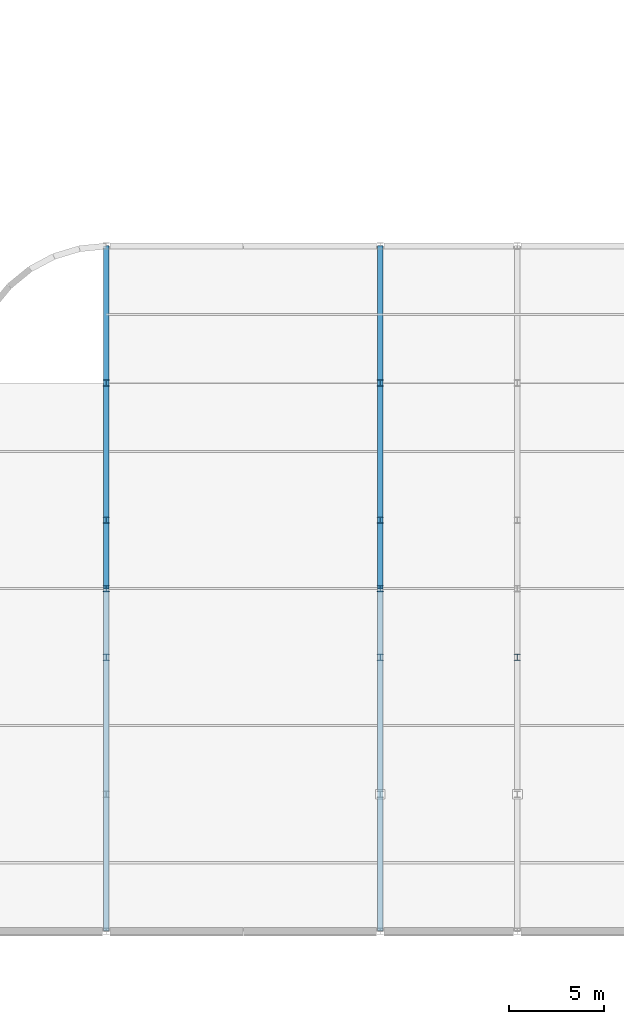
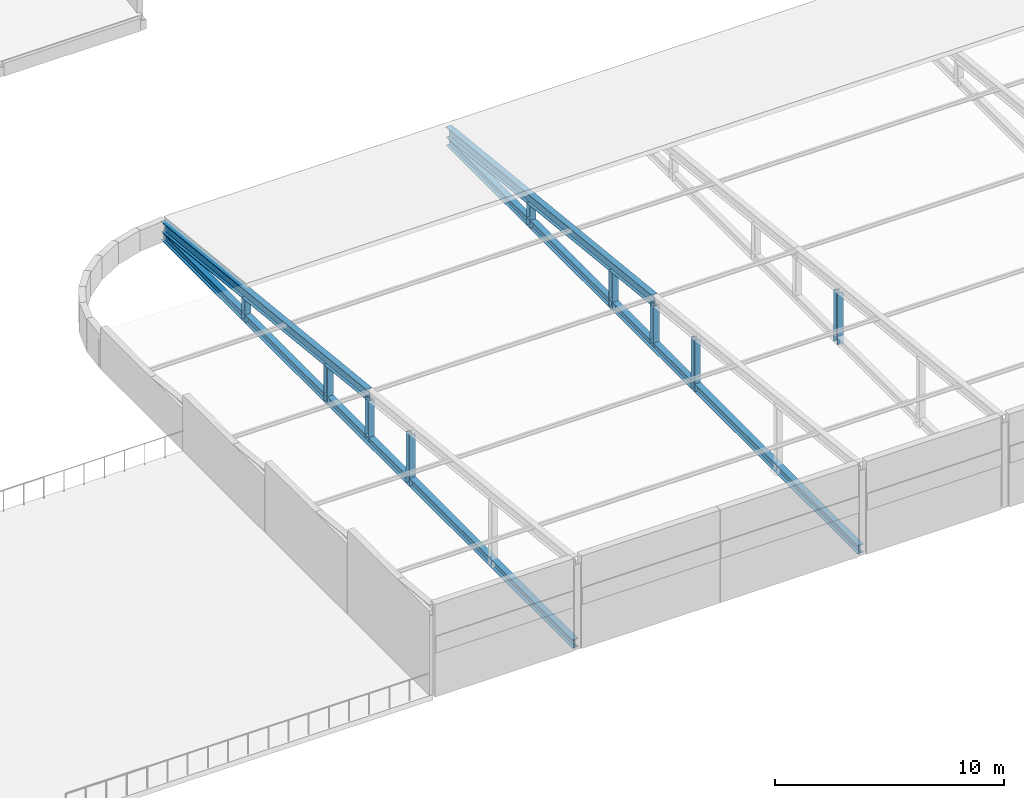
# One storey, part 24 of 103: 13 members.
"""IFC4 building model written with IfcOpenShell, lengths in metres."""

from ifc_helpers import new_model, si_unit, direction, frame, origin, origin_2d, place, context, subcontext, project, spatial, i_section, extrude, material, material_profile, profile_set, type_object, element, save


model = new_model("IFC4")

# Units and contexts
model_context = context("Model", 3, precision=1e-05, world=origin(), true_north=direction((0.0, 1.0)))
body_context = subcontext(model_context, "Body", "Model", "MODEL_VIEW")
ifc_project = project(units=[si_unit("LENGTHUNIT", "METRE"), si_unit("AREAUNIT", "SQUARE_METRE"), si_unit("VOLUMEUNIT", "CUBIC_METRE"), si_unit("PLANEANGLEUNIT", "RADIAN"), si_unit("MASSUNIT", "GRAM", prefix="KILO")], contexts=[model_context])

# Site, building, storey
site_placement = place(None, origin())
site = spatial("IfcSite", under=ifc_project, at=site_placement, CompositionType="ELEMENT")
building_placement = place(site_placement, origin())
building = spatial("IfcBuilding", under=site, at=building_placement, Name="Thalmaran Polytechnic", CompositionType="ELEMENT")
storey_placement = place(building_placement, frame((0.0, 0.0, 14.39990234375)))
storey = spatial("IfcBuildingStorey", under=building, at=storey_placement, Name="L03", CompositionType="ELEMENT", Elevation=14.39990234375)

# Members
ifc_material = material(Name="Steel S355", Category="steel")
ifc_material_profile_1 = material_profile(ifc_material, i_section(OverallWidth=0.300048828125, OverallDepth=0.449951171875, WebThickness=0.013916015625, FlangeThickness=0.02587890625, at=origin_2d()), Name="HEB 450")
ifc_profile_set_1 = profile_set([ifc_material_profile_1], Name="Steel S355")
member_type_1 = type_object("IfcMemberType", Name="MB-CHD1", PredefinedType="CHORD", material=ifc_profile_set_1)
for number, where, z_axis, x_axis, name in (
    (1, (64.800048828125, 0.0, 0.22021484375), (0.0, 1.0, 0.0), (-1.0, 0.0, 0.0), "Lecture Truss Bottom Tie G09"),
    (2, (79.199951171875, 0.0, 0.22021484375), (0.0, 1.0, 0.0), (-1.0, 0.0, 0.0), "Lecture Truss Bottom Tie G11"),
):
    element("IfcMember", number, at=place(storey_placement, frame(where, z_axis=z_axis, x_axis=x_axis)), inside=storey, type_object=member_type_1, Name=name, PredefinedType="CHORD", context=body_context, shape_type="SweptSolid", body=[
        extrude(i_section(OverallWidth=0.300048828125, OverallDepth=0.449951171875, WebThickness=0.013916015625, FlangeThickness=0.02587890625, at=origin_2d()), origin(), (0.0, 0.0, 1.0), 36.0),
    ])
ifc_material_profile_2 = material_profile(ifc_material, i_section(OverallWidth=0.300048828125, OverallDepth=0.550048828125, WebThickness=0.014892578125, FlangeThickness=0.029052734375, at=origin_2d()), Name="HEB 550")
ifc_profile_set_2 = profile_set([ifc_material_profile_2], Name="Steel S355")
member_type_2 = type_object("IfcMemberType", Name="MB-RAF1", PredefinedType="RAFTER", material=ifc_profile_set_2)
for number, where, z_axis, x_axis, name in (
    (3, (64.800048828125, 18.0, 2.625), (0.0, 0.994331173595, -0.10632740577), (-1.0, 0.0, 0.0), "Lecture Raked Roof Rafter North G09"),
    (4, (79.199951171875, 18.0, 2.625), (0.0, 0.994331173595, -0.10632740577), (-1.0, 0.0, 0.0), "Lecture Raked Roof Rafter North G11"),
):
    element("IfcMember", number, at=place(storey_placement, frame(where, z_axis=z_axis, x_axis=x_axis)), inside=storey, type_object=member_type_2, Name=name, PredefinedType="RAFTER", context=body_context, shape_type="SweptSolid", body=[
        extrude(i_section(OverallWidth=0.300048828125, OverallDepth=0.550048828125, WebThickness=0.014892578125, FlangeThickness=0.029052734375, at=origin_2d()), origin(), (0.0, 0.0, 1.0), 18.1025390625),
    ])
ifc_material_profile_3 = material_profile(ifc_material, i_section(OverallWidth=0.300048828125, OverallDepth=0.330078125, WebThickness=0.009521484375, FlangeThickness=0.0166015625, at=origin_2d()), Name="HEA 340")
ifc_profile_set_3 = profile_set([ifc_material_profile_3], Name="Steel S355")
member_type_3 = type_object("IfcMemberType", Name="MB-TRS1", PredefinedType="STRUT", material=ifc_profile_set_3)
member_1_placement = place(storey_placement, frame((64.800048828125, 18.0, 0.22021484375), z_axis=(0.0, 0.0, 1.0), x_axis=(1.0, 0.0, 0.0)))
element("IfcMember", 5, at=member_1_placement, inside=storey, type_object=member_type_3, Name="Lecture Truss Mid Web Strut G09", PredefinedType="STRUT", context=body_context, shape_type="SweptSolid", body=[
    extrude(i_section(OverallWidth=0.300048828125, OverallDepth=0.330078125, WebThickness=0.009521484375, FlangeThickness=0.0166015625, at=origin_2d()), origin(), (0.0, 0.0, 1.0), 2.204833984375),
])
member_2_placement = place(storey_placement, frame((64.800048828125, 14.39990234375, 0.0), z_axis=(0.0, 0.0, 1.0), x_axis=(1.0, 0.0, 0.0)))
element("IfcMember", 6, at=member_2_placement, inside=storey, type_object=member_type_3, Name="Lecture Truss Web Strut G09-14", PredefinedType="STRUT", context=body_context, shape_type="SweptSolid", body=[
    extrude(i_section(OverallWidth=0.300048828125, OverallDepth=0.330078125, WebThickness=0.009521484375, FlangeThickness=0.0166015625, at=origin_2d()), origin(), (0.0, 0.0, 1.0), 2.760009765625),
])
member_3_placement = place(storey_placement, frame((64.800048828125, 21.60009765625, 0.0), z_axis=(0.0, 0.0, 1.0), x_axis=(1.0, 0.0, 0.0)))
element("IfcMember", 7, at=member_3_placement, inside=storey, type_object=member_type_3, Name="Lecture Truss Web Strut G09-21", PredefinedType="STRUT", context=body_context, shape_type="SweptSolid", body=[
    extrude(i_section(OverallWidth=0.300048828125, OverallDepth=0.330078125, WebThickness=0.009521484375, FlangeThickness=0.0166015625, at=origin_2d()), origin(), (0.0, 0.0, 1.0), 1.989990234375),
])
member_4_placement = place(storey_placement, frame((64.800048828125, 28.800048828125, 0.0), z_axis=(0.0, 0.0, 1.0), x_axis=(1.0, 0.0, 0.0)))
element("IfcMember", 8, at=member_4_placement, inside=storey, type_object=member_type_3, Name="Lecture Truss Web Strut G09-28", PredefinedType="STRUT", context=body_context, shape_type="SweptSolid", body=[
    extrude(i_section(OverallWidth=0.300048828125, OverallDepth=0.330078125, WebThickness=0.009521484375, FlangeThickness=0.0166015625, at=origin_2d()), origin(), (0.0, 0.0, 1.0), 1.22021484375),
])
member_5_placement = place(storey_placement, frame((79.199951171875, 18.0, 0.22021484375), z_axis=(0.0, 0.0, 1.0), x_axis=(1.0, 0.0, 0.0)))
element("IfcMember", 9, at=member_5_placement, inside=storey, type_object=member_type_3, Name="Lecture Truss Mid Web Strut G11", PredefinedType="STRUT", context=body_context, shape_type="SweptSolid", body=[
    extrude(i_section(OverallWidth=0.300048828125, OverallDepth=0.330078125, WebThickness=0.009521484375, FlangeThickness=0.0166015625, at=origin_2d()), origin(), (0.0, 0.0, 1.0), 2.204833984375),
])
member_6_placement = place(storey_placement, frame((79.199951171875, 14.39990234375, 0.0), z_axis=(0.0, 0.0, 1.0), x_axis=(1.0, 0.0, 0.0)))
element("IfcMember", 10, at=member_6_placement, inside=storey, type_object=member_type_3, Name="Lecture Truss Web Strut G11-14", PredefinedType="STRUT", context=body_context, shape_type="SweptSolid", body=[
    extrude(i_section(OverallWidth=0.300048828125, OverallDepth=0.330078125, WebThickness=0.009521484375, FlangeThickness=0.0166015625, at=origin_2d()), origin(), (0.0, 0.0, 1.0), 2.760009765625),
])
member_7_placement = place(storey_placement, frame((79.199951171875, 21.60009765625, 0.0), z_axis=(0.0, 0.0, 1.0), x_axis=(1.0, 0.0, 0.0)))
element("IfcMember", 11, at=member_7_placement, inside=storey, type_object=member_type_3, Name="Lecture Truss Web Strut G11-21", PredefinedType="STRUT", context=body_context, shape_type="SweptSolid", body=[
    extrude(i_section(OverallWidth=0.300048828125, OverallDepth=0.330078125, WebThickness=0.009521484375, FlangeThickness=0.0166015625, at=origin_2d()), origin(), (0.0, 0.0, 1.0), 1.989990234375),
])
member_8_placement = place(storey_placement, frame((79.199951171875, 28.800048828125, 0.0), z_axis=(0.0, 0.0, 1.0), x_axis=(1.0, 0.0, 0.0)))
element("IfcMember", 12, at=member_8_placement, inside=storey, type_object=member_type_3, Name="Lecture Truss Web Strut G11-28", PredefinedType="STRUT", context=body_context, shape_type="SweptSolid", body=[
    extrude(i_section(OverallWidth=0.300048828125, OverallDepth=0.330078125, WebThickness=0.009521484375, FlangeThickness=0.0166015625, at=origin_2d()), origin(), (0.0, 0.0, 1.0), 1.22021484375),
])
member_9_placement = place(storey_placement, frame((86.39990234375, 14.39990234375, 0.0), z_axis=(0.0, 0.0, 1.0), x_axis=(1.0, 0.0, 0.0)))
element("IfcMember", 13, at=member_9_placement, inside=storey, type_object=member_type_3, Name="Lecture Truss Web Strut G12-14", PredefinedType="STRUT", context=body_context, shape_type="SweptSolid", body=[
    extrude(i_section(OverallWidth=0.300048828125, OverallDepth=0.330078125, WebThickness=0.009521484375, FlangeThickness=0.0166015625, at=origin_2d()), origin(), (0.0, 0.0, 1.0), 2.760009765625),
])

save(model, "model.ifc")
